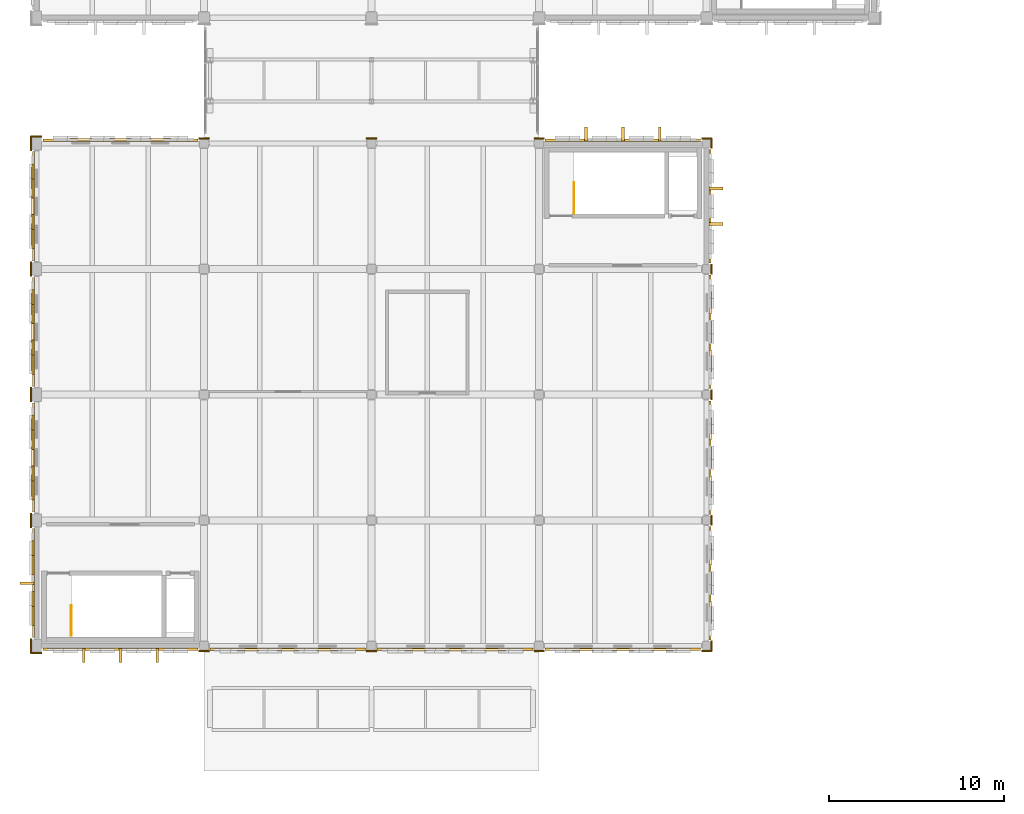
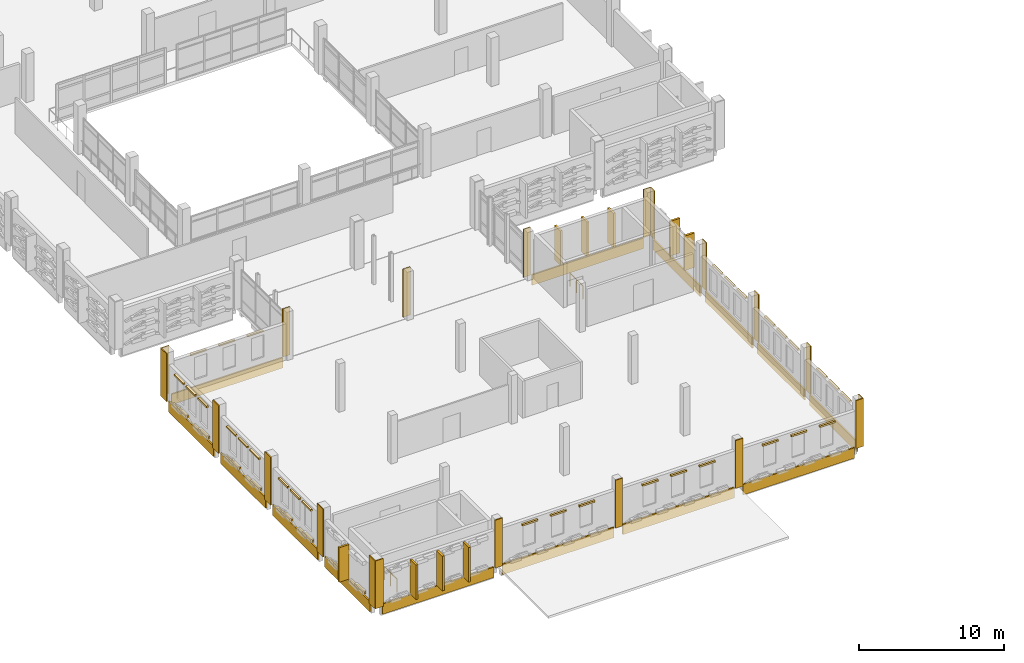
# One storey, part 60 of 72: 89 coverings, 2 railings.
"""IFC4 building model written with IfcOpenShell, lengths in metres."""

from ifc_helpers import new_model, si_unit, direction, frame, origin, origin_2d, place, context, subcontext, project, spatial, rectangle, circle, extrude, material, layer, layer_set, type_object, element, save


model = new_model("IFC4")

# Units and contexts
model_context = context("Model", 3, precision=1e-05, world=origin(), true_north=direction((0.0, 1.0)))
body_context = subcontext(model_context, "Body", "Model", "MODEL_VIEW")
ifc_project = project(units=[si_unit("LENGTHUNIT", "METRE"), si_unit("AREAUNIT", "SQUARE_METRE"), si_unit("VOLUMEUNIT", "CUBIC_METRE"), si_unit("PLANEANGLEUNIT", "RADIAN"), si_unit("MASSUNIT", "GRAM", prefix="KILO")], contexts=[model_context])

# Site, building, storey
site_placement = place(None, origin())
site = spatial("IfcSite", under=ifc_project, at=site_placement, CompositionType="ELEMENT")
building_placement = place(site_placement, origin())
building = spatial("IfcBuilding", under=site, at=building_placement, Name="Asteropetra Specialist Clinic", CompositionType="ELEMENT")
storey_placement = place(building_placement, frame((0.0, 0.0, 12.580078125)))
storey = spatial("IfcBuildingStorey", under=building, at=storey_placement, Name="L03", CompositionType="ELEMENT", Elevation=12.580078125)

# Coverings
ifc_material_1 = material(Name="Chevron limestone", Category="masonry")
ifc_layer_1 = layer(ifc_material_1, 0.1201171875)
ifc_layer_set_1 = layer_set([ifc_layer_1], Name="Chevron limestone")
covering_type_1 = type_object("IfcCoveringType", Name="CLD-OCH-LIME", PredefinedType="CLADDING", material=ifc_layer_set_1)
for number, where, z_axis, x_axis, name in (
    (1, (4.8125, 33.41748046875, -0.800048828125), (0.0, 0.0, 1.0), (1.0, 0.0, 0.0), "Chevron Spandrel Band CV-1856"),
    (2, (4.8125, 62.58251953125, -0.800048828125), (0.0, 0.0, 1.0), (1.0, 0.0, 0.0), "Chevron Spandrel Band CV-1868"),
):
    element("IfcCovering", number, at=place(storey_placement, frame(where, z_axis=z_axis, x_axis=x_axis)), inside=storey, type_object=covering_type_1, Name=name, PredefinedType="CLADDING", context=body_context, shape_type="SweptSolid", body=[
        extrude(rectangle(XDim=8.875, YDim=0.1201171875, at=origin_2d()), origin(), (0.0, 0.0, 1.0), 0.8798828125),
    ])
for number, where, z_axis, x_axis, name in (
    (3, (14.39990234375, 33.41748046875, -0.800048828125), (0.0, 0.0, 1.0), (1.0, 0.0, 0.0), "Chevron Spandrel Band CV-1880"),
    (4, (24.0, 33.41748046875, -0.800048828125), (0.0, 0.0, 1.0), (1.0, 0.0, 0.0), "Chevron Spandrel Band CV-1892"),
    (5, (33.60009765625, 33.41748046875, -0.800048828125), (0.0, 0.0, 1.0), (1.0, 0.0, 0.0), "Chevron Spandrel Band CV-1904"),
    (6, (33.60009765625, 62.58251953125, -0.800048828125), (0.0, 0.0, 1.0), (1.0, 0.0, 0.0), "Chevron Spandrel Band CV-1913"),
):
    element("IfcCovering", number, at=place(storey_placement, frame(where, z_axis=z_axis, x_axis=x_axis)), inside=storey, type_object=covering_type_1, Name=name, PredefinedType="CLADDING", context=body_context, shape_type="SweptSolid", body=[
        extrude(rectangle(XDim=8.89990234375, YDim=0.1201171875, at=origin_2d()), origin(), (0.0, 0.0, 1.0), 0.8798828125),
    ])
covering_1_placement = place(storey_placement, frame((-0.1826171875, 37.199951171875, -0.800048828125), z_axis=(0.0, 0.0, 1.0), x_axis=(1.0, 0.0, 0.0)))
element("IfcCovering", 7, at=covering_1_placement, inside=storey, type_object=covering_type_1, Name="Chevron Spandrel Band CV-1922", PredefinedType="CLADDING", context=body_context, shape_type="SweptSolid", body=[
    extrude(rectangle(XDim=0.1201171875, YDim=6.25, at=origin_2d()), origin(), (0.0, 0.0, 1.0), 0.8798828125),
])
for number, where, z_axis, x_axis, name in (
    (8, (-0.197509765625, 39.082275390625, 0.1201171875), (0.0, 0.0, 1.0), (1.0, 0.0, 0.0), "Chevron Ceramic Band CV-1923"),
    (9, (-0.197509765625, 38.22265625, 0.259765625), (0.0, 0.0, 1.0), (1.0, 0.0, 0.0), "Chevron Ceramic Band CV-1924"),
    (10, (-0.197509765625, 36.17724609375, 0.1201171875), (0.0, 0.0, 1.0), (1.0, 0.0, 0.0), "Chevron Ceramic Band CV-1925"),
    (11, (-0.197509765625, 35.31787109375, 0.259765625), (0.0, 0.0, 1.0), (1.0, 0.0, 0.0), "Chevron Ceramic Band CV-1926"),
):
    element("IfcCovering", number, at=place(storey_placement, frame(where, z_axis=z_axis, x_axis=x_axis)), inside=storey, type_object=covering_type_1, Name=name, PredefinedType="CLADDING", context=body_context, shape_type="SweptSolid", body=[
        extrude(rectangle(XDim=0.1201171875, YDim=1.10400390625, at=origin_2d()), origin(), (0.0, 0.0, 1.0), 0.199951171875),
    ])
covering_2_placement = place(storey_placement, frame((38.58251953125, 37.199951171875, -0.800048828125), z_axis=(0.0, 0.0, 1.0), x_axis=(1.0, 0.0, 0.0)))
element("IfcCovering", 12, at=covering_2_placement, inside=storey, type_object=covering_type_1, Name="Chevron Spandrel Band CV-1930", PredefinedType="CLADDING", context=body_context, shape_type="SweptSolid", body=[
    extrude(rectangle(XDim=0.1201171875, YDim=6.5, at=origin_2d()), origin(), (0.0, 0.0, 1.0), 0.8798828125),
])
covering_3_placement = place(storey_placement, frame((-0.1826171875, 44.39990234375, -0.800048828125), z_axis=(0.0, 0.0, 1.0), x_axis=(1.0, 0.0, 0.0)))
element("IfcCovering", 13, at=covering_3_placement, inside=storey, type_object=covering_type_1, Name="Chevron Spandrel Band CV-1940", PredefinedType="CLADDING", context=body_context, shape_type="SweptSolid", body=[
    extrude(rectangle(XDim=0.1201171875, YDim=6.25, at=origin_2d()), origin(), (0.0, 0.0, 1.0), 0.8798828125),
])
for number, where, z_axis, x_axis, name in (
    (14, (-0.197509765625, 46.2822265625, 0.1201171875), (0.0, 0.0, 1.0), (1.0, 0.0, 0.0), "Chevron Ceramic Band CV-1941"),
    (15, (-0.197509765625, 45.4228515625, 0.259765625), (0.0, 0.0, 1.0), (1.0, 0.0, 0.0), "Chevron Ceramic Band CV-1942"),
    (16, (-0.197509765625, 43.377197265625, 0.1201171875), (0.0, 0.0, 1.0), (1.0, 0.0, 0.0), "Chevron Ceramic Band CV-1943"),
    (17, (-0.197509765625, 42.517578125, 0.259765625), (0.0, 0.0, 1.0), (1.0, 0.0, 0.0), "Chevron Ceramic Band CV-1944"),
):
    element("IfcCovering", number, at=place(storey_placement, frame(where, z_axis=z_axis, x_axis=x_axis)), inside=storey, type_object=covering_type_1, Name=name, PredefinedType="CLADDING", context=body_context, shape_type="SweptSolid", body=[
        extrude(rectangle(XDim=0.1201171875, YDim=1.10400390625, at=origin_2d()), origin(), (0.0, 0.0, 1.0), 0.199951171875),
    ])
covering_4_placement = place(storey_placement, frame((38.58251953125, 44.39990234375, -0.800048828125), z_axis=(0.0, 0.0, 1.0), x_axis=(1.0, 0.0, 0.0)))
element("IfcCovering", 18, at=covering_4_placement, inside=storey, type_object=covering_type_1, Name="Chevron Spandrel Band CV-1948", PredefinedType="CLADDING", context=body_context, shape_type="SweptSolid", body=[
    extrude(rectangle(XDim=0.1201171875, YDim=6.5, at=origin_2d()), origin(), (0.0, 0.0, 1.0), 0.8798828125),
])
covering_5_placement = place(storey_placement, frame((-0.1826171875, 51.60009765625, -0.800048828125), z_axis=(0.0, 0.0, 1.0), x_axis=(1.0, 0.0, 0.0)))
element("IfcCovering", 19, at=covering_5_placement, inside=storey, type_object=covering_type_1, Name="Chevron Spandrel Band CV-1958", PredefinedType="CLADDING", context=body_context, shape_type="SweptSolid", body=[
    extrude(rectangle(XDim=0.1201171875, YDim=6.25, at=origin_2d()), origin(), (0.0, 0.0, 1.0), 0.8798828125),
])
for number, where, z_axis, x_axis, name in (
    (20, (-0.197509765625, 53.482421875, 0.1201171875), (0.0, 0.0, 1.0), (1.0, 0.0, 0.0), "Chevron Ceramic Band CV-1959"),
    (21, (-0.197509765625, 52.622802734375, 0.259765625), (0.0, 0.0, 1.0), (1.0, 0.0, 0.0), "Chevron Ceramic Band CV-1960"),
    (22, (-0.197509765625, 50.5771484375, 0.1201171875), (0.0, 0.0, 1.0), (1.0, 0.0, 0.0), "Chevron Ceramic Band CV-1961"),
    (23, (-0.197509765625, 49.7177734375, 0.259765625), (0.0, 0.0, 1.0), (1.0, 0.0, 0.0), "Chevron Ceramic Band CV-1962"),
):
    element("IfcCovering", number, at=place(storey_placement, frame(where, z_axis=z_axis, x_axis=x_axis)), inside=storey, type_object=covering_type_1, Name=name, PredefinedType="CLADDING", context=body_context, shape_type="SweptSolid", body=[
        extrude(rectangle(XDim=0.1201171875, YDim=1.10400390625, at=origin_2d()), origin(), (0.0, 0.0, 1.0), 0.199951171875),
    ])
covering_6_placement = place(storey_placement, frame((38.58251953125, 51.60009765625, -0.800048828125), z_axis=(0.0, 0.0, 1.0), x_axis=(1.0, 0.0, 0.0)))
element("IfcCovering", 24, at=covering_6_placement, inside=storey, type_object=covering_type_1, Name="Chevron Spandrel Band CV-1966", PredefinedType="CLADDING", context=body_context, shape_type="SweptSolid", body=[
    extrude(rectangle(XDim=0.1201171875, YDim=6.5, at=origin_2d()), origin(), (0.0, 0.0, 1.0), 0.8798828125),
])
covering_7_placement = place(storey_placement, frame((-0.1826171875, 58.800048828125, -0.800048828125), z_axis=(0.0, 0.0, 1.0), x_axis=(1.0, 0.0, 0.0)))
element("IfcCovering", 25, at=covering_7_placement, inside=storey, type_object=covering_type_1, Name="Chevron Spandrel Band CV-1976", PredefinedType="CLADDING", context=body_context, shape_type="SweptSolid", body=[
    extrude(rectangle(XDim=0.1201171875, YDim=6.25, at=origin_2d()), origin(), (0.0, 0.0, 1.0), 0.8798828125),
])
for number, where, z_axis, x_axis, name in (
    (26, (-0.197509765625, 60.68212890625, 0.1201171875), (0.0, 0.0, 1.0), (1.0, 0.0, 0.0), "Chevron Ceramic Band CV-1977"),
    (27, (-0.197509765625, 59.82275390625, 0.259765625), (0.0, 0.0, 1.0), (1.0, 0.0, 0.0), "Chevron Ceramic Band CV-1978"),
    (28, (-0.197509765625, 57.77734375, 0.1201171875), (0.0, 0.0, 1.0), (1.0, 0.0, 0.0), "Chevron Ceramic Band CV-1979"),
    (29, (-0.197509765625, 56.917724609375, 0.259765625), (0.0, 0.0, 1.0), (1.0, 0.0, 0.0), "Chevron Ceramic Band CV-1980"),
):
    element("IfcCovering", number, at=place(storey_placement, frame(where, z_axis=z_axis, x_axis=x_axis)), inside=storey, type_object=covering_type_1, Name=name, PredefinedType="CLADDING", context=body_context, shape_type="SweptSolid", body=[
        extrude(rectangle(XDim=0.1201171875, YDim=1.10400390625, at=origin_2d()), origin(), (0.0, 0.0, 1.0), 0.199951171875),
    ])
covering_8_placement = place(storey_placement, frame((38.58251953125, 58.800048828125, -0.800048828125), z_axis=(0.0, 0.0, 1.0), x_axis=(1.0, 0.0, 0.0)))
element("IfcCovering", 30, at=covering_8_placement, inside=storey, type_object=covering_type_1, Name="Chevron Spandrel Band CV-1981", PredefinedType="CLADDING", context=body_context, shape_type="SweptSolid", body=[
    extrude(rectangle(XDim=0.1201171875, YDim=6.5, at=origin_2d()), origin(), (0.0, 0.0, 1.0), 0.8798828125),
])
ifc_material_2 = material(Name="Pentelic marble ashlar", Category="masonry")
ifc_layer_2 = layer(ifc_material_2, 0.159912109375)
ifc_layer_set_2 = layer_set([ifc_layer_2], Name="Pentelic marble ashlar")
covering_type_2 = type_object("IfcCoveringType", Name="CRN-ENTAB-600", PredefinedType="MOLDING", material=ifc_layer_set_2)
covering_9_placement = place(storey_placement, frame((0.0, 33.193115234375, 0.02001953125), z_axis=(0.0, 0.0, 1.0), x_axis=(1.0, 0.0, 0.0)))
element("IfcCovering", 31, at=covering_9_placement, inside=storey, type_object=covering_type_2, Name="Neoclassical Pilaster Facing CM-0897", PredefinedType="MOLDING", context=body_context, shape_type="SweptSolid", body=[
    extrude(rectangle(XDim=0.6298828125, YDim=0.080078125, at=origin_2d()), origin(), (0.0, 0.0, 1.0), 4.0400390625),
])
for number, where, z_axis, x_axis, name in (
    (32, (-0.306884765625, 33.60009765625, 0.02001953125), (0.0, 0.0, 1.0), (1.0, 0.0, 0.0), "Neoclassical Pilaster Facing CM-0898"),
    (33, (-0.306884765625, 40.800048828125, 0.02001953125), (0.0, 0.0, 1.0), (1.0, 0.0, 0.0), "Neoclassical Pilaster Facing CM-0899"),
    (34, (-0.306884765625, 48.0, 0.02001953125), (0.0, 0.0, 1.0), (1.0, 0.0, 0.0), "Neoclassical Pilaster Facing CM-0900"),
    (35, (-0.306884765625, 55.199951171875, 0.02001953125), (0.0, 0.0, 1.0), (1.0, 0.0, 0.0), "Neoclassical Pilaster Facing CM-0901"),
):
    element("IfcCovering", number, at=place(storey_placement, frame(where, z_axis=z_axis, x_axis=x_axis)), inside=storey, type_object=covering_type_2, Name=name, PredefinedType="MOLDING", context=body_context, shape_type="SweptSolid", body=[
        extrude(rectangle(XDim=0.080078125, YDim=0.830078125, at=origin_2d()), origin(), (0.0, 0.0, 1.0), 4.0400390625),
    ])
covering_10_placement = place(storey_placement, frame((0.0, 62.806884765625, 0.02001953125), z_axis=(0.0, 0.0, 1.0), x_axis=(1.0, 0.0, 0.0)))
element("IfcCovering", 36, at=covering_10_placement, inside=storey, type_object=covering_type_2, Name="Neoclassical Pilaster Facing CM-0902", PredefinedType="MOLDING", context=body_context, shape_type="SweptSolid", body=[
    extrude(rectangle(XDim=0.6298828125, YDim=0.080078125, at=origin_2d()), origin(), (0.0, 0.0, 1.0), 4.0400390625),
])
covering_11_placement = place(storey_placement, frame((-0.306884765625, 62.39990234375, 0.02001953125), z_axis=(0.0, 0.0, 1.0), x_axis=(1.0, 0.0, 0.0)))
element("IfcCovering", 37, at=covering_11_placement, inside=storey, type_object=covering_type_2, Name="Neoclassical Pilaster Facing CM-0903", PredefinedType="MOLDING", context=body_context, shape_type="SweptSolid", body=[
    extrude(rectangle(XDim=0.080078125, YDim=0.830078125, at=origin_2d()), origin(), (0.0, 0.0, 1.0), 4.0400390625),
])
for number, where, z_axis, x_axis, name in (
    (38, (9.60009765625, 33.318115234375, 0.02001953125), (0.0, 0.0, 1.0), (1.0, 0.0, 0.0), "Neoclassical Pilaster Facing CM-0904"),
    (39, (9.60009765625, 62.681884765625, 0.02001953125), (0.0, 0.0, 1.0), (1.0, 0.0, 0.0), "Neoclassical Pilaster Facing CM-0905"),
    (40, (19.199951171875, 33.318115234375, 0.02001953125), (0.0, 0.0, 1.0), (1.0, 0.0, 0.0), "Neoclassical Pilaster Facing CM-0906"),
    (41, (19.199951171875, 62.681884765625, 0.02001953125), (0.0, 0.0, 1.0), (1.0, 0.0, 0.0), "Neoclassical Pilaster Facing CM-0907"),
    (42, (28.800048828125, 33.318115234375, 0.02001953125), (0.0, 0.0, 1.0), (1.0, 0.0, 0.0), "Neoclassical Pilaster Facing CM-0908"),
    (43, (28.800048828125, 62.681884765625, 0.02001953125), (0.0, 0.0, 1.0), (1.0, 0.0, 0.0), "Neoclassical Pilaster Facing CM-0909"),
    (44, (38.39990234375, 33.318115234375, 0.02001953125), (0.0, 0.0, 1.0), (1.0, 0.0, 0.0), "Neoclassical Pilaster Facing CM-0910"),
):
    element("IfcCovering", number, at=place(storey_placement, frame(where, z_axis=z_axis, x_axis=x_axis)), inside=storey, type_object=covering_type_2, Name=name, PredefinedType="MOLDING", context=body_context, shape_type="SweptSolid", body=[
        extrude(rectangle(XDim=0.580078125, YDim=0.080078125, at=origin_2d()), origin(), (0.0, 0.0, 1.0), 4.0400390625),
    ])
for number, where, z_axis, x_axis, name in (
    (45, (38.681884765625, 33.60009765625, 0.02001953125), (0.0, 0.0, 1.0), (1.0, 0.0, 0.0), "Neoclassical Pilaster Facing CM-0911"),
    (46, (38.681884765625, 40.800048828125, 0.02001953125), (0.0, 0.0, 1.0), (1.0, 0.0, 0.0), "Neoclassical Pilaster Facing CM-0912"),
    (47, (38.681884765625, 48.0, 0.02001953125), (0.0, 0.0, 1.0), (1.0, 0.0, 0.0), "Neoclassical Pilaster Facing CM-0913"),
    (48, (38.681884765625, 55.199951171875, 0.02001953125), (0.0, 0.0, 1.0), (1.0, 0.0, 0.0), "Neoclassical Pilaster Facing CM-0914"),
):
    element("IfcCovering", number, at=place(storey_placement, frame(where, z_axis=z_axis, x_axis=x_axis)), inside=storey, type_object=covering_type_2, Name=name, PredefinedType="MOLDING", context=body_context, shape_type="SweptSolid", body=[
        extrude(rectangle(XDim=0.080078125, YDim=0.580078125, at=origin_2d()), origin(), (0.0, 0.0, 1.0), 4.0400390625),
    ])
covering_12_placement = place(storey_placement, frame((38.39990234375, 62.681884765625, 0.02001953125), z_axis=(0.0, 0.0, 1.0), x_axis=(1.0, 0.0, 0.0)))
element("IfcCovering", 49, at=covering_12_placement, inside=storey, type_object=covering_type_2, Name="Neoclassical Pilaster Facing CM-0915", PredefinedType="MOLDING", context=body_context, shape_type="SweptSolid", body=[
    extrude(rectangle(XDim=0.580078125, YDim=0.080078125, at=origin_2d()), origin(), (0.0, 0.0, 1.0), 4.0400390625),
])
covering_13_placement = place(storey_placement, frame((38.681884765625, 62.39990234375, 0.02001953125), z_axis=(0.0, 0.0, 1.0), x_axis=(1.0, 0.0, 0.0)))
element("IfcCovering", 50, at=covering_13_placement, inside=storey, type_object=covering_type_2, Name="Neoclassical Pilaster Facing CM-0916", PredefinedType="MOLDING", context=body_context, shape_type="SweptSolid", body=[
    extrude(rectangle(XDim=0.080078125, YDim=0.580078125, at=origin_2d()), origin(), (0.0, 0.0, 1.0), 4.0400390625),
])
for number, where, z_axis, x_axis, name in (
    (51, (7.081298828125, 62.612548828125, 2.77001953125), (0.0, 0.0, 1.0), (1.0, 0.0, 0.0), "Classical Window Hood WH-1865"),
    (52, (4.8125, 62.612548828125, 2.77001953125), (0.0, 0.0, 1.0), (1.0, 0.0, 0.0), "Classical Window Hood WH-1866"),
    (53, (2.543701171875, 62.612548828125, 2.77001953125), (0.0, 0.0, 1.0), (1.0, 0.0, 0.0), "Classical Window Hood WH-1867"),
    (54, (12.125, 33.387451171875, 2.77001953125), (0.0, 0.0, 1.0), (1.0, 0.0, 0.0), "Classical Window Hood WH-1877"),
    (55, (14.39990234375, 33.387451171875, 2.77001953125), (0.0, 0.0, 1.0), (1.0, 0.0, 0.0), "Classical Window Hood WH-1878"),
    (56, (16.675048828125, 33.387451171875, 2.77001953125), (0.0, 0.0, 1.0), (1.0, 0.0, 0.0), "Classical Window Hood WH-1879"),
    (57, (21.72509765625, 33.387451171875, 2.77001953125), (0.0, 0.0, 1.0), (1.0, 0.0, 0.0), "Classical Window Hood WH-1889"),
    (58, (24.0, 33.387451171875, 2.77001953125), (0.0, 0.0, 1.0), (1.0, 0.0, 0.0), "Classical Window Hood WH-1890"),
    (59, (26.27490234375, 33.387451171875, 2.77001953125), (0.0, 0.0, 1.0), (1.0, 0.0, 0.0), "Classical Window Hood WH-1891"),
    (60, (31.324951171875, 33.387451171875, 2.77001953125), (0.0, 0.0, 1.0), (1.0, 0.0, 0.0), "Classical Window Hood WH-1901"),
    (61, (33.60009765625, 33.387451171875, 2.77001953125), (0.0, 0.0, 1.0), (1.0, 0.0, 0.0), "Classical Window Hood WH-1902"),
    (62, (35.875, 33.387451171875, 2.77001953125), (0.0, 0.0, 1.0), (1.0, 0.0, 0.0), "Classical Window Hood WH-1903"),
):
    element("IfcCovering", number, at=place(storey_placement, frame(where, z_axis=z_axis, x_axis=x_axis)), inside=storey, type_object=covering_type_2, Name=name, PredefinedType="MOLDING", context=body_context, shape_type="SweptSolid", body=[
        extrude(rectangle(XDim=1.260009765625, YDim=0.159912109375, at=origin_2d()), origin(), (0.0, 0.0, 1.0), 0.139892578125),
    ])
for number, where, z_axis, x_axis, name in (
    (63, (38.612548828125, 35.52490234375, 2.77001953125), (0.0, 0.0, 1.0), (1.0, 0.0, 0.0), "Classical Window Hood WH-1927"),
    (64, (38.612548828125, 37.199951171875, 2.77001953125), (0.0, 0.0, 1.0), (1.0, 0.0, 0.0), "Classical Window Hood WH-1928"),
    (65, (38.612548828125, 38.875, 2.77001953125), (0.0, 0.0, 1.0), (1.0, 0.0, 0.0), "Classical Window Hood WH-1929"),
    (66, (-0.21240234375, 46.012451171875, 2.77001953125), (0.0, 0.0, 1.0), (1.0, 0.0, 0.0), "Classical Window Hood WH-1937"),
    (67, (-0.21240234375, 44.39990234375, 2.77001953125), (0.0, 0.0, 1.0), (1.0, 0.0, 0.0), "Classical Window Hood WH-1938"),
    (68, (-0.21240234375, 42.78759765625, 2.77001953125), (0.0, 0.0, 1.0), (1.0, 0.0, 0.0), "Classical Window Hood WH-1939"),
    (69, (38.612548828125, 42.72509765625, 2.77001953125), (0.0, 0.0, 1.0), (1.0, 0.0, 0.0), "Classical Window Hood WH-1945"),
    (70, (38.612548828125, 44.39990234375, 2.77001953125), (0.0, 0.0, 1.0), (1.0, 0.0, 0.0), "Classical Window Hood WH-1946"),
    (71, (38.612548828125, 46.074951171875, 2.77001953125), (0.0, 0.0, 1.0), (1.0, 0.0, 0.0), "Classical Window Hood WH-1947"),
    (72, (-0.21240234375, 53.21240234375, 2.77001953125), (0.0, 0.0, 1.0), (1.0, 0.0, 0.0), "Classical Window Hood WH-1955"),
    (73, (-0.21240234375, 51.60009765625, 2.77001953125), (0.0, 0.0, 1.0), (1.0, 0.0, 0.0), "Classical Window Hood WH-1956"),
    (74, (-0.21240234375, 49.987548828125, 2.77001953125), (0.0, 0.0, 1.0), (1.0, 0.0, 0.0), "Classical Window Hood WH-1957"),
    (75, (38.612548828125, 49.925048828125, 2.77001953125), (0.0, 0.0, 1.0), (1.0, 0.0, 0.0), "Classical Window Hood WH-1963"),
    (76, (38.612548828125, 51.60009765625, 2.77001953125), (0.0, 0.0, 1.0), (1.0, 0.0, 0.0), "Classical Window Hood WH-1964"),
    (77, (38.612548828125, 53.27490234375, 2.77001953125), (0.0, 0.0, 1.0), (1.0, 0.0, 0.0), "Classical Window Hood WH-1965"),
    (78, (-0.21240234375, 60.41259765625, 2.77001953125), (0.0, 0.0, 1.0), (1.0, 0.0, 0.0), "Classical Window Hood WH-1973"),
    (79, (-0.21240234375, 58.800048828125, 2.77001953125), (0.0, 0.0, 1.0), (1.0, 0.0, 0.0), "Classical Window Hood WH-1974"),
    (80, (-0.21240234375, 57.1875, 2.77001953125), (0.0, 0.0, 1.0), (1.0, 0.0, 0.0), "Classical Window Hood WH-1975"),
):
    element("IfcCovering", number, at=place(storey_placement, frame(where, z_axis=z_axis, x_axis=x_axis)), inside=storey, type_object=covering_type_2, Name=name, PredefinedType="MOLDING", context=body_context, shape_type="SweptSolid", body=[
        extrude(rectangle(XDim=0.159912109375, YDim=1.260009765625, at=origin_2d()), origin(), (0.0, 0.0, 1.0), 0.139892578125),
    ])
ifc_material_3 = material(Name="Pentelic marble solar fin", Category="masonry")
ifc_layer_3 = layer(ifc_material_3, 0.080078125)
ifc_layer_set_3 = layer_set([ifc_layer_3], Name="Pentelic marble solar fin")
covering_type_3 = type_object("IfcCoveringType", Name="FIN-SOLAR-800", PredefinedType="MOLDING", material=ifc_layer_set_3)
for number, where, z_axis, x_axis, name in (
    (81, (2.70361328125, 33.0625, 0.070068359375), (0.0, 0.0, 1.0), (1.0, 0.0, 0.0), "Solar Shading Fin FN-0139"),
    (82, (4.8125, 33.0625, 0.070068359375), (0.0, 0.0, 1.0), (1.0, 0.0, 0.0), "Solar Shading Fin FN-0140"),
    (83, (6.921142578125, 33.0625, 0.070068359375), (0.0, 0.0, 1.0), (1.0, 0.0, 0.0), "Solar Shading Fin FN-0141"),
    (84, (35.715087890625, 62.9375, 0.070068359375), (0.0, 0.0, 1.0), (1.0, 0.0, 0.0), "Solar Shading Fin FN-0142"),
    (85, (33.60009765625, 62.9375, 0.070068359375), (0.0, 0.0, 1.0), (1.0, 0.0, 0.0), "Solar Shading Fin FN-0143"),
    (86, (31.485107421875, 62.9375, 0.070068359375), (0.0, 0.0, 1.0), (1.0, 0.0, 0.0), "Solar Shading Fin FN-0144"),
):
    element("IfcCovering", number, at=place(storey_placement, frame(where, z_axis=z_axis, x_axis=x_axis)), inside=storey, type_object=covering_type_3, Name=name, PredefinedType="MOLDING", context=body_context, shape_type="SweptSolid", body=[
        extrude(rectangle(XDim=0.159912109375, YDim=0.800048828125, at=origin_2d()), origin(), (0.0, 0.0, 1.0), 2.919921875),
    ])
for number, where, z_axis, x_axis, name in (
    (87, (-0.53759765625, 37.199951171875, 0.070068359375), (0.0, 0.0, 1.0), (1.0, 0.0, 0.0), "Solar Shading Fin FN-0145"),
    (88, (38.9375, 57.7900390625, 0.070068359375), (0.0, 0.0, 1.0), (1.0, 0.0, 0.0), "Solar Shading Fin FN-0146"),
    (89, (38.9375, 59.81005859375, 0.070068359375), (0.0, 0.0, 1.0), (1.0, 0.0, 0.0), "Solar Shading Fin FN-0147"),
):
    element("IfcCovering", number, at=place(storey_placement, frame(where, z_axis=z_axis, x_axis=x_axis)), inside=storey, type_object=covering_type_3, Name=name, PredefinedType="MOLDING", context=body_context, shape_type="SweptSolid", body=[
        extrude(rectangle(XDim=0.800048828125, YDim=0.159912109375, at=origin_2d()), origin(), (0.0, 0.0, 1.0), 2.919921875),
    ])

# Railings
ifc_material_4 = material(Name="Steel S355 and laminated glass guard", Category="steel")
railing_type = type_object("IfcRailingType", Name="GRD-INT-1120", PredefinedType="GUARDRAIL", material=ifc_material_4)
railing_1_placement = place(storey_placement, frame((2.0, 34.199951171875, 0.0)))
element("IfcRailing", 90, at=railing_1_placement, inside=storey, type_object=railing_type, Name="Stair Well Guard ST04-L02", PredefinedType="GUARDRAIL", context=body_context, shape_type="SweptSolid", body=[
    extrude(circle(Radius=0.02392578125, at=origin_2d()), frame((0.0, 0.0, 1.09619140625), z_axis=(0.0, 1.0, 0.0), x_axis=(-1.0, 0.0, 0.0)), (0.0, 0.0, 1.0), 1.72998046875),
    extrude(circle(Radius=0.02099609375, at=origin_2d()), origin(), (0.0, 0.0, 1.0), 1.072021484375),
    extrude(circle(Radius=0.02099609375, at=origin_2d()), frame((0.0, 0.864990234375, 0.0)), (0.0, 0.0, 1.0), 1.072021484375),
    extrude(circle(Radius=0.02099609375, at=origin_2d()), frame((0.0, 1.72998046875, 0.0)), (0.0, 0.0, 1.0), 1.072021484375),
])
railing_2_placement = place(storey_placement, frame((30.800048828125, 58.3798828125, 0.0)))
element("IfcRailing", 91, at=railing_2_placement, inside=storey, type_object=railing_type, Name="Stair Well Guard ST05-L02", PredefinedType="GUARDRAIL", context=body_context, shape_type="SweptSolid", body=[
    extrude(circle(Radius=0.02392578125, at=origin_2d()), frame((0.0, 0.0, 1.09619140625), z_axis=(0.0, 1.0, 0.0), x_axis=(-1.0, 0.0, 0.0)), (0.0, 0.0, 1.0), 1.780029296875),
    extrude(circle(Radius=0.02099609375, at=origin_2d()), origin(), (0.0, 0.0, 1.0), 1.072021484375),
    extrude(circle(Radius=0.02099609375, at=origin_2d()), frame((0.0, 0.89013671875, 0.0)), (0.0, 0.0, 1.0), 1.072021484375),
    extrude(circle(Radius=0.02099609375, at=origin_2d()), frame((0.0, 1.780029296875, 0.0)), (0.0, 0.0, 1.0), 1.072021484375),
])

save(model, "model.ifc")
